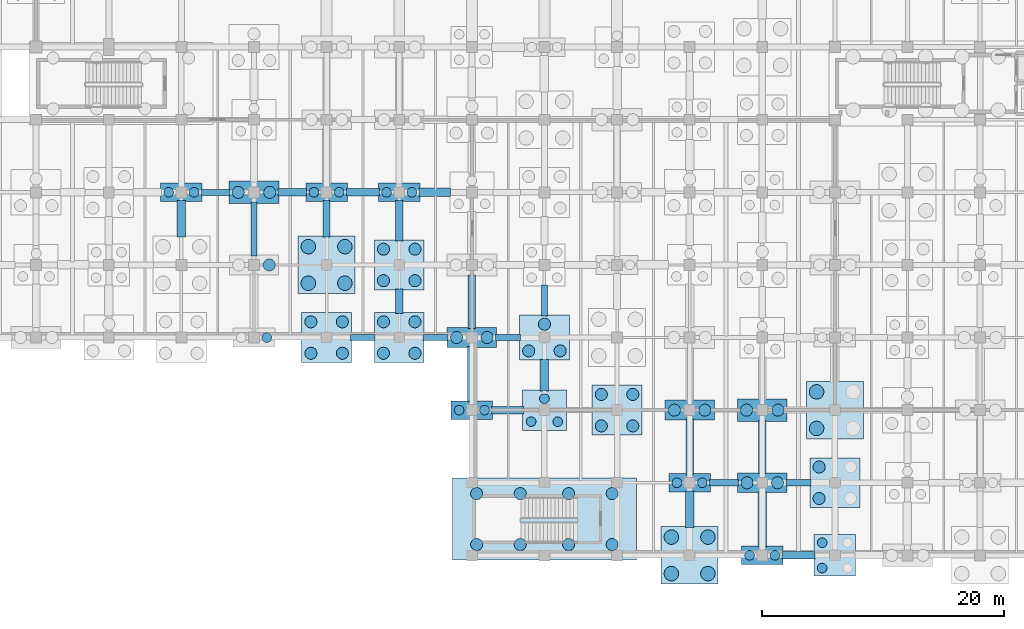
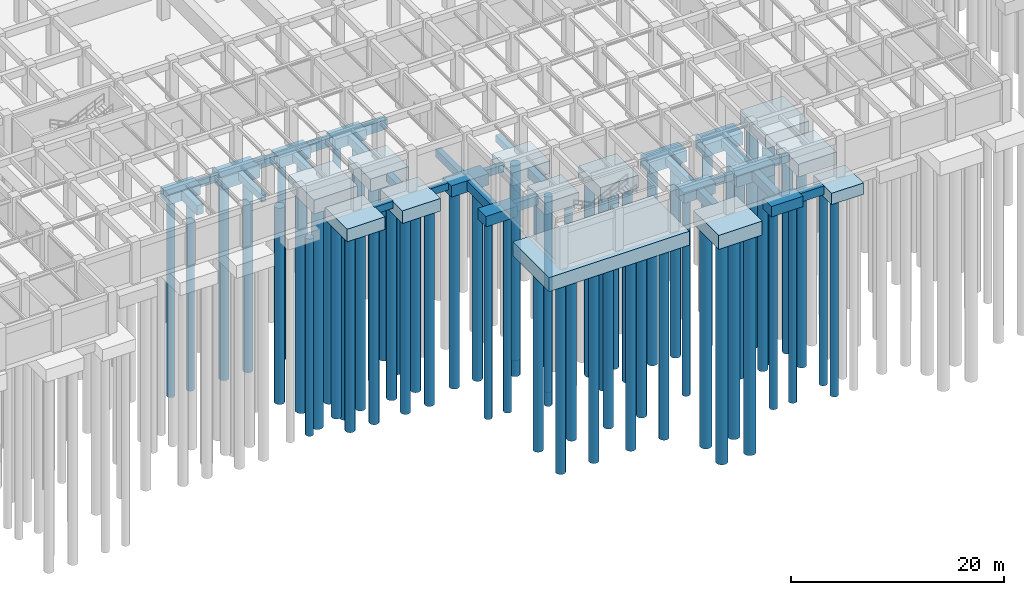
# One storey, part 5 of 54: 68 piles, 47 footings.
"""IFC4 building model written with IfcOpenShell, lengths in metres."""

from ifc_helpers import new_model, si_unit, direction, frame, origin, origin_2d, place, context, subcontext, project, spatial, rectangle, circle, extrude, material, material_profile, profile_set, type_object, element, save


model = new_model("IFC4")

# Units and contexts
model_context = context("Model", 3, precision=1e-05, world=origin(), true_north=direction((0.0, 1.0)))
body_context = subcontext(model_context, "Body", "Model", "MODEL_VIEW")
ifc_project = project(units=[si_unit("LENGTHUNIT", "METRE"), si_unit("AREAUNIT", "SQUARE_METRE"), si_unit("VOLUMEUNIT", "CUBIC_METRE"), si_unit("PLANEANGLEUNIT", "RADIAN"), si_unit("MASSUNIT", "GRAM", prefix="KILO"), si_unit("THERMODYNAMICTEMPERATUREUNIT", "KELVIN"), si_unit("POWERUNIT", "WATT")], contexts=[model_context])

# Site, building, storey
site_placement = place(None, origin())
site = spatial("IfcSite", under=ifc_project, at=site_placement, CompositionType="ELEMENT")
building_placement = place(site_placement, origin())
building = spatial("IfcBuilding", under=site, at=building_placement, Name="Phaisarnlok Congress Hotel", CompositionType="ELEMENT")
storey_placement = place(building_placement, frame((0.0, 0.0, -4.800048828125)))
storey = spatial("IfcBuildingStorey", under=building, at=storey_placement, Name="B01", CompositionType="ELEMENT", Elevation=-4.800048828125)

# Footings
ifc_material_1 = material(Name="Concrete C40/50", Category="concrete")
footing_type_1 = type_object("IfcFootingType", Name="CAP-2P-A", PredefinedType="PILE_CAP", material=ifc_material_1)
for number, where, z_axis, x_axis, name in (
    (1, (72.0, 30.0, -1.69970703125), (0.0, 0.0, 1.0), (1.0, 0.0, 0.0), "Pile cap PC-01 at (72,30)"),
    (2, (84.0, 30.0, -1.69970703125), (0.0, 0.0, 1.0), (1.0, 0.0, 0.0), "Pile cap PC-01 at (84,30)"),
    (3, (90.0, 30.0, -1.69970703125), (0.0, 0.0, 1.0), (1.0, 0.0, 0.0), "Pile cap PC-01 at (90,30)"),
    (4, (96.0, 12.0, -1.69970703125), (0.0, 0.0, 1.0), (1.0, 0.0, 0.0), "Pile cap PC-01 at (96,12)"),
    (5, (114.0, 6.0, -1.69970703125), (0.0, 0.0, 1.0), (1.0, 0.0, 0.0), "Pile cap PC-01 at (114,6)"),
    (6, (120.0, 0.0, -1.69970703125), (0.0, 0.0, 1.0), (1.0, 0.0, 0.0), "Pile cap PC-01 at (120,0)"),
):
    element("IfcFooting", number, at=place(storey_placement, frame(where, z_axis=z_axis, x_axis=x_axis)), inside=storey, type_object=footing_type_1, Name=name, PredefinedType="PILE_CAP", context=body_context, shape_type="SweptSolid", body=[
        extrude(rectangle(XDim=3.43994140625, YDim=1.5400390625, at=origin_2d()), origin(), (0.0, 0.0, 1.0), 1.199951171875),
    ])
footing_type_2 = type_object("IfcFootingType", Name="CAP-2P-B", PredefinedType="PILE_CAP", material=ifc_material_1)
for number, where, z_axis, x_axis, name in (
    (7, (96.0, 18.0, -1.7998046875), (0.0, 0.0, 1.0), (1.0, 0.0, 0.0), "Pile cap PC-02 at (96,18)"),
    (8, (114.0, 12.0, -1.7998046875), (0.0, 0.0, 1.0), (1.0, 0.0, 0.0), "Pile cap PC-02 at (114,12)"),
    (9, (120.0, 6.0, -1.7998046875), (0.0, 0.0, 1.0), (1.0, 0.0, 0.0), "Pile cap PC-02 at (120,6)"),
):
    element("IfcFooting", number, at=place(storey_placement, frame(where, z_axis=z_axis, x_axis=x_axis)), inside=storey, type_object=footing_type_2, Name=name, PredefinedType="PILE_CAP", context=body_context, shape_type="SweptSolid", body=[
        extrude(rectangle(XDim=4.080078125, YDim=1.639892578125, at=origin_2d()), origin(), (0.0, 0.0, 1.0), 1.300048828125),
    ])
footing_type_3 = type_object("IfcFootingType", Name="CAP-2P-C", PredefinedType="PILE_CAP", material=ifc_material_1)
for number, where, z_axis, x_axis, name in (
    (10, (78.0, 30.0, -1.89990234375), (0.0, 0.0, 1.0), (1.0, 0.0, 0.0), "Pile cap PC-03 at (78,30)"),
    (11, (120.0, 12.0, -1.89990234375), (0.0, 0.0, 1.0), (1.0, 0.0, 0.0), "Pile cap PC-03 at (120,12)"),
):
    element("IfcFooting", number, at=place(storey_placement, frame(where, z_axis=z_axis, x_axis=x_axis)), inside=storey, type_object=footing_type_3, Name=name, PredefinedType="PILE_CAP", context=body_context, shape_type="SweptSolid", body=[
        extrude(rectangle(XDim=4.1201171875, YDim=1.840087890625, at=origin_2d()), origin(), (0.0, 0.0, 1.0), 1.39990234375),
    ])
footing_type_4 = type_object("IfcFootingType", Name="CAP-3P-A", PredefinedType="PILE_CAP", material=ifc_material_1)
footing_1_placement = place(storey_placement, frame((102.0, 12.0, -1.85009765625), z_axis=(0.0, 0.0, 1.0), x_axis=(1.0, 0.0, 0.0)))
element("IfcFooting", 12, at=footing_1_placement, inside=storey, type_object=footing_type_4, Name="Pile cap PC-04 at (102,12)", PredefinedType="PILE_CAP", context=body_context, shape_type="SweptSolid", body=[
    extrude(rectangle(XDim=3.639892578125, YDim=3.340087890625, at=origin_2d()), origin(), (0.0, 0.0, 1.0), 1.35009765625),
])
footing_type_5 = type_object("IfcFootingType", Name="CAP-3P-B", PredefinedType="PILE_CAP", material=ifc_material_1)
footing_2_placement = place(storey_placement, frame((102.0, 18.0, -1.94970703125), z_axis=(0.0, 0.0, 1.0), x_axis=(1.0, 0.0, 0.0)))
element("IfcFooting", 13, at=footing_2_placement, inside=storey, type_object=footing_type_5, Name="Pile cap PC-05 at (102,18)", PredefinedType="PILE_CAP", context=body_context, shape_type="SweptSolid", body=[
    extrude(rectangle(XDim=4.1201171875, YDim=3.739990234375, at=origin_2d()), origin(), (0.0, 0.0, 1.0), 1.449951171875),
])
footing_type_6 = type_object("IfcFootingType", Name="CAP-4P-A", PredefinedType="PILE_CAP", material=ifc_material_1)
footing_3_placement = place(storey_placement, frame((126.0, 0.0, -1.7998046875), z_axis=(0.0, 0.0, 1.0), x_axis=(1.0, 0.0, 0.0)))
element("IfcFooting", 14, at=footing_3_placement, inside=storey, type_object=footing_type_6, Name="Pile cap PC-06 at (126,0)", PredefinedType="PILE_CAP", context=body_context, shape_type="SweptSolid", body=[
    extrude(rectangle(XDim=3.43994140625, YDim=3.43994140625, at=origin_2d()), origin(), (0.0, 0.0, 1.0), 1.300048828125),
])
footing_type_7 = type_object("IfcFootingType", Name="CAP-4P-B", PredefinedType="PILE_CAP", material=ifc_material_1)
for number, where, z_axis, x_axis, name in (
    (15, (84.0, 18.0, -1.94970703125), (0.0, 0.0, 1.0), (1.0, 0.0, 0.0), "Pile cap PC-07 at (84,18)"),
    (16, (90.0, 18.0, -1.94970703125), (0.0, 0.0, 1.0), (1.0, 0.0, 0.0), "Pile cap PC-07 at (90,18)"),
    (17, (90.0, 24.0, -1.94970703125), (0.0, 0.0, 1.0), (1.0, 0.0, 0.0), "Pile cap PC-07 at (90,24)"),
    (18, (108.0, 12.0, -1.94970703125), (0.0, 0.0, 1.0), (1.0, 0.0, 0.0), "Pile cap PC-07 at (108,12)"),
    (19, (126.0, 6.0, -1.94970703125), (0.0, 0.0, 1.0), (1.0, 0.0, 0.0), "Pile cap PC-07 at (126,6)"),
):
    element("IfcFooting", number, at=place(storey_placement, frame(where, z_axis=z_axis, x_axis=x_axis)), inside=storey, type_object=footing_type_7, Name=name, PredefinedType="PILE_CAP", context=body_context, shape_type="SweptSolid", body=[
        extrude(rectangle(XDim=4.1201171875, YDim=4.1201171875, at=origin_2d()), origin(), (0.0, 0.0, 1.0), 1.449951171875),
    ])
footing_type_8 = type_object("IfcFootingType", Name="CAP-4P-C", PredefinedType="PILE_CAP", material=ifc_material_1)
for number, where, z_axis, x_axis, name in (
    (20, (84.0, 24.0, -2.10009765625), (0.0, 0.0, 1.0), (1.0, 0.0, 0.0), "Pile cap PC-08 at (84,24)"),
    (21, (114.0, 0.0, -2.10009765625), (0.0, 0.0, 1.0), (1.0, 0.0, 0.0), "Pile cap PC-08 at (114,0)"),
    (22, (126.0, 12.0, -2.10009765625), (0.0, 0.0, 1.0), (1.0, 0.0, 0.0), "Pile cap PC-08 at (126,12)"),
):
    element("IfcFooting", number, at=place(storey_placement, frame(where, z_axis=z_axis, x_axis=x_axis)), inside=storey, type_object=footing_type_8, Name=name, PredefinedType="PILE_CAP", context=body_context, shape_type="SweptSolid", body=[
        extrude(rectangle(XDim=4.719970703125, YDim=4.760009765625, at=origin_2d()), origin(), (0.0, 0.0, 1.0), 1.60009765625),
    ])
footing_type_9 = type_object("IfcFootingType", Name="CAP-STAIR-H", PredefinedType="PILE_CAP", material=ifc_material_1)
footing_4_placement = place(storey_placement, frame((102.0, 3.0, -2.10009765625), z_axis=(0.0, 0.0, 1.0), x_axis=(1.0, 0.0, 0.0)))
element("IfcFooting", 23, at=footing_4_placement, inside=storey, type_object=footing_type_9, Name="Stair core pile cap PC-17 (STAIR-S)", PredefinedType="PILE_CAP", context=body_context, shape_type="SweptSolid", body=[
    extrude(rectangle(XDim=15.199951171875, YDim=6.800048828125, at=origin_2d()), origin(), (0.0, 0.0, 1.0), 1.60009765625),
])
ifc_material_profile_1 = material_profile(ifc_material_1, rectangle(XDim=0.5, YDim=0.800048828125, at=origin_2d()), Name="FB-500x800")
ifc_profile_set_1 = profile_set([ifc_material_profile_1], Name="Concrete C40/50")
footing_type_10 = type_object("IfcFootingType", Name="FB-500x800", PredefinedType="FOOTING_BEAM", material=ifc_profile_set_1)
footing_5_placement = place(storey_placement, frame((73.64501953125, 30.0, -0.89990234375), z_axis=(1.0, 0.0, 0.0), x_axis=(0.0, 1.0, 0.0)))
element("IfcFooting", 24, at=footing_5_placement, inside=storey, type_object=footing_type_10, Name="Ground tie beam FB-01", PredefinedType="FOOTING_BEAM", context=body_context, shape_type="SweptSolid", body=[
    extrude(rectangle(XDim=0.5, YDim=0.800048828125, at=origin_2d()), origin(), (0.0, 0.0, 1.0), 2.369873046875),
])
footing_6_placement = place(storey_placement, frame((78.0, 24.7451171875, -0.89990234375), z_axis=(0.0, 1.0, 0.0), x_axis=(-1.0, 0.0, 0.0)))
element("IfcFooting", 25, at=footing_6_placement, inside=storey, type_object=footing_type_10, Name="Ground tie beam FB-01", PredefinedType="FOOTING_BEAM", context=body_context, shape_type="SweptSolid", body=[
    extrude(rectangle(XDim=0.5, YDim=0.800048828125, at=origin_2d()), origin(), (0.0, 0.0, 1.0), 4.409912109375),
])
footing_7_placement = place(storey_placement, frame((85.985107421875, 18.0, -0.89990234375), z_axis=(1.0, 0.0, 0.0), x_axis=(0.0, 1.0, 0.0)))
element("IfcFooting", 26, at=footing_7_placement, inside=storey, type_object=footing_type_10, Name="Ground tie beam FB-01", PredefinedType="FOOTING_BEAM", context=body_context, shape_type="SweptSolid", body=[
    extrude(rectangle(XDim=0.5, YDim=0.800048828125, at=origin_2d()), origin(), (0.0, 0.0, 1.0), 2.02978515625),
])
for number, where, z_axis, x_axis, name in (
    (27, (91.985107421875, 18.0, -0.89990234375), (1.0, 0.0, 0.0), (0.0, 1.0, 0.0), "Ground tie beam FB-01"),
    (28, (97.965087890625, 18.0, -0.89990234375), (1.0, 0.0, 0.0), (0.0, 1.0, 0.0), "Ground tie beam FB-01"),
):
    element("IfcFooting", number, at=place(storey_placement, frame(where, z_axis=z_axis, x_axis=x_axis)), inside=storey, type_object=footing_type_10, Name=name, PredefinedType="FOOTING_BEAM", context=body_context, shape_type="SweptSolid", body=[
        extrude(rectangle(XDim=0.5, YDim=0.800048828125, at=origin_2d()), origin(), (0.0, 0.0, 1.0), 2.0498046875),
    ])
footing_8_placement = place(storey_placement, frame((102.0, 19.794921875, -0.89990234375), z_axis=(0.0, 1.0, 0.0), x_axis=(-1.0, 0.0, 0.0)))
element("IfcFooting", 29, at=footing_8_placement, inside=storey, type_object=footing_type_10, Name="Ground tie beam FB-01", PredefinedType="FOOTING_BEAM", context=body_context, shape_type="SweptSolid", body=[
    extrude(rectangle(XDim=0.5, YDim=0.800048828125, at=origin_2d()), origin(), (0.0, 0.0, 1.0), 2.56005859375),
])
footing_9_placement = place(storey_placement, frame((115.64501953125, 6.0, -0.89990234375), z_axis=(1.0, 0.0, 0.0), x_axis=(0.0, 1.0, 0.0)))
element("IfcFooting", 30, at=footing_9_placement, inside=storey, type_object=footing_type_10, Name="Ground tie beam FB-01", PredefinedType="FOOTING_BEAM", context=body_context, shape_type="SweptSolid", body=[
    extrude(rectangle(XDim=0.5, YDim=0.800048828125, at=origin_2d()), origin(), (0.0, 0.0, 1.0), 2.389892578125),
])
footing_10_placement = place(storey_placement, frame((121.965087890625, 6.0, -0.89990234375), z_axis=(1.0, 0.0, 0.0), x_axis=(0.0, 1.0, 0.0)))
element("IfcFooting", 31, at=footing_10_placement, inside=storey, type_object=footing_type_10, Name="Ground tie beam FB-01", PredefinedType="FOOTING_BEAM", context=body_context, shape_type="SweptSolid", body=[
    extrude(rectangle(XDim=0.5, YDim=0.800048828125, at=origin_2d()), origin(), (0.0, 0.0, 1.0), 2.0498046875),
])
ifc_material_profile_2 = material_profile(ifc_material_1, rectangle(XDim=0.60009765625, YDim=1.0, at=origin_2d()), Name="FB-600x1000")
ifc_profile_set_2 = profile_set([ifc_material_profile_2], Name="Concrete C40/50")
footing_type_11 = type_object("IfcFootingType", Name="FB-600x1000", PredefinedType="FOOTING_BEAM", material=ifc_profile_set_2)
footing_11_placement = place(storey_placement, frame((85.64501953125, 30.0, -1.0), z_axis=(1.0, 0.0, 0.0), x_axis=(0.0, 1.0, 0.0)))
element("IfcFooting", 32, at=footing_11_placement, inside=storey, type_object=footing_type_11, Name="Ground tie beam FB-03", PredefinedType="FOOTING_BEAM", context=body_context, shape_type="SweptSolid", body=[
    extrude(rectangle(XDim=0.60009765625, YDim=1.0, at=origin_2d()), origin(), (0.0, 0.0, 1.0), 2.7099609375),
])
footing_12_placement = place(storey_placement, frame((90.0, 25.985107421875, -1.0), z_axis=(0.0, 1.0, 0.0), x_axis=(-1.0, 0.0, 0.0)))
element("IfcFooting", 33, at=footing_12_placement, inside=storey, type_object=footing_type_11, Name="Ground tie beam FB-03", PredefinedType="FOOTING_BEAM", context=body_context, shape_type="SweptSolid", body=[
    extrude(rectangle(XDim=0.60009765625, YDim=1.0, at=origin_2d()), origin(), (0.0, 0.0, 1.0), 3.31982421875),
])
footing_13_placement = place(storey_placement, frame((97.64501953125, 12.0, -1.0), z_axis=(1.0, 0.0, 0.0), x_axis=(0.0, 1.0, 0.0)))
element("IfcFooting", 34, at=footing_13_placement, inside=storey, type_object=footing_type_11, Name="Ground tie beam FB-03", PredefinedType="FOOTING_BEAM", context=body_context, shape_type="SweptSolid", body=[
    extrude(rectangle(XDim=0.60009765625, YDim=1.0, at=origin_2d()), origin(), (0.0, 0.0, 1.0), 2.60986328125),
])
footing_14_placement = place(storey_placement, frame((121.64501953125, 0.0, -1.0), z_axis=(1.0, 0.0, 0.0), x_axis=(0.0, 1.0, 0.0)))
element("IfcFooting", 35, at=footing_14_placement, inside=storey, type_object=footing_type_11, Name="Ground tie beam FB-03", PredefinedType="FOOTING_BEAM", context=body_context, shape_type="SweptSolid", body=[
    extrude(rectangle(XDim=0.60009765625, YDim=1.0, at=origin_2d()), origin(), (0.0, 0.0, 1.0), 2.7099609375),
])
ifc_material_profile_3 = material_profile(ifc_material_1, rectangle(XDim=0.60009765625, YDim=0.89990234375, at=origin_2d()), Name="FB-600x900")
ifc_profile_set_3 = profile_set([ifc_material_profile_3], Name="Concrete C40/50")
footing_type_12 = type_object("IfcFootingType", Name="FB-600x900", PredefinedType="FOOTING_BEAM", material=ifc_profile_set_3)
footing_15_placement = place(storey_placement, frame((79.985107421875, 30.0, -0.949951171875), z_axis=(1.0, 0.0, 0.0), x_axis=(0.0, 1.0, 0.0)))
element("IfcFooting", 36, at=footing_15_placement, inside=storey, type_object=footing_type_12, Name="Ground tie beam FB-02", PredefinedType="FOOTING_BEAM", context=body_context, shape_type="SweptSolid", body=[
    extrude(rectangle(XDim=0.60009765625, YDim=0.89990234375, at=origin_2d()), origin(), (0.0, 0.0, 1.0), 2.369873046875),
])
footing_16_placement = place(storey_placement, frame((84.0, 26.304931640625, -0.949951171875), z_axis=(0.0, 1.0, 0.0), x_axis=(-1.0, 0.0, 0.0)))
element("IfcFooting", 37, at=footing_16_placement, inside=storey, type_object=footing_type_12, Name="Ground tie beam FB-02", PredefinedType="FOOTING_BEAM", context=body_context, shape_type="SweptSolid", body=[
    extrude(rectangle(XDim=0.60009765625, YDim=0.89990234375, at=origin_2d()), origin(), (0.0, 0.0, 1.0), 3.0),
])
footing_17_placement = place(storey_placement, frame((90.0, 19.985107421875, -0.949951171875), z_axis=(0.0, 1.0, 0.0), x_axis=(-1.0, 0.0, 0.0)))
element("IfcFooting", 38, at=footing_17_placement, inside=storey, type_object=footing_type_12, Name="Ground tie beam FB-02", PredefinedType="FOOTING_BEAM", context=body_context, shape_type="SweptSolid", body=[
    extrude(rectangle(XDim=0.60009765625, YDim=0.89990234375, at=origin_2d()), origin(), (0.0, 0.0, 1.0), 2.02978515625),
])
footing_18_placement = place(storey_placement, frame((96.0, 18.7451171875, -0.949951171875), z_axis=(0.0, 1.0, 0.0), x_axis=(-1.0, 0.0, 0.0)))
element("IfcFooting", 39, at=footing_18_placement, inside=storey, type_object=footing_type_12, Name="Ground tie beam FB-02", PredefinedType="FOOTING_BEAM", context=body_context, shape_type="SweptSolid", body=[
    extrude(rectangle(XDim=0.60009765625, YDim=0.89990234375, at=origin_2d()), origin(), (0.0, 0.0, 1.0), 4.409912109375),
])
footing_19_placement = place(storey_placement, frame((114.0, 6.695068359375, -0.949951171875), z_axis=(0.0, 1.0, 0.0), x_axis=(-1.0, 0.0, 0.0)))
element("IfcFooting", 40, at=footing_19_placement, inside=storey, type_object=footing_type_12, Name="Ground tie beam FB-02", PredefinedType="FOOTING_BEAM", context=body_context, shape_type="SweptSolid", body=[
    extrude(rectangle(XDim=0.60009765625, YDim=0.89990234375, at=origin_2d()), origin(), (0.0, 0.0, 1.0), 4.559814453125),
])
footing_20_placement = place(storey_placement, frame((120.0, 6.7451171875, -0.949951171875), z_axis=(0.0, 1.0, 0.0), x_axis=(-1.0, 0.0, 0.0)))
element("IfcFooting", 41, at=footing_20_placement, inside=storey, type_object=footing_type_12, Name="Ground tie beam FB-02", PredefinedType="FOOTING_BEAM", context=body_context, shape_type="SweptSolid", body=[
    extrude(rectangle(XDim=0.60009765625, YDim=0.89990234375, at=origin_2d()), origin(), (0.0, 0.0, 1.0), 4.409912109375),
])
ifc_material_profile_4 = material_profile(ifc_material_1, rectangle(XDim=0.699951171875, YDim=1.10009765625, at=origin_2d()), Name="FB-700x1100")
ifc_profile_set_4 = profile_set([ifc_material_profile_4], Name="Concrete C40/50")
footing_type_13 = type_object("IfcFootingType", Name="FB-700x1100", PredefinedType="FOOTING_BEAM", material=ifc_profile_set_4)
footing_21_placement = place(storey_placement, frame((72.0, 26.304931640625, -1.050048828125), z_axis=(0.0, 1.0, 0.0), x_axis=(-1.0, 0.0, 0.0)))
element("IfcFooting", 42, at=footing_21_placement, inside=storey, type_object=footing_type_13, Name="Ground tie beam FB-04", PredefinedType="FOOTING_BEAM", context=body_context, shape_type="SweptSolid", body=[
    extrude(rectangle(XDim=0.699951171875, YDim=1.10009765625, at=origin_2d()), origin(), (0.0, 0.0, 1.0), 3.0),
])
footing_22_placement = place(storey_placement, frame((91.64501953125, 30.0, -1.050048828125), z_axis=(1.0, 0.0, 0.0), x_axis=(0.0, 1.0, 0.0)))
element("IfcFooting", 43, at=footing_22_placement, inside=storey, type_object=footing_type_13, Name="Ground tie beam FB-04", PredefinedType="FOOTING_BEAM", context=body_context, shape_type="SweptSolid", body=[
    extrude(rectangle(XDim=0.699951171875, YDim=1.10009765625, at=origin_2d()), origin(), (0.0, 0.0, 1.0), 2.60986328125),
])
footing_23_placement = place(storey_placement, frame((96.0, 12.695068359375, -1.050048828125), z_axis=(0.0, 1.0, 0.0), x_axis=(-1.0, 0.0, 0.0)))
element("IfcFooting", 44, at=footing_23_placement, inside=storey, type_object=footing_type_13, Name="Ground tie beam FB-04", PredefinedType="FOOTING_BEAM", context=body_context, shape_type="SweptSolid", body=[
    extrude(rectangle(XDim=0.699951171875, YDim=1.10009765625, at=origin_2d()), origin(), (0.0, 0.0, 1.0), 4.559814453125),
])
footing_24_placement = place(storey_placement, frame((102.0, 13.594970703125, -1.050048828125), z_axis=(0.0, 1.0, 0.0), x_axis=(-1.0, 0.0, 0.0)))
element("IfcFooting", 45, at=footing_24_placement, inside=storey, type_object=footing_type_13, Name="Ground tie beam FB-04", PredefinedType="FOOTING_BEAM", context=body_context, shape_type="SweptSolid", body=[
    extrude(rectangle(XDim=0.699951171875, YDim=1.10009765625, at=origin_2d()), origin(), (0.0, 0.0, 1.0), 2.610107421875),
])
footing_25_placement = place(storey_placement, frame((114.0, 2.304931640625, -1.050048828125), z_axis=(0.0, 1.0, 0.0), x_axis=(-1.0, 0.0, 0.0)))
element("IfcFooting", 46, at=footing_25_placement, inside=storey, type_object=footing_type_13, Name="Ground tie beam FB-04", PredefinedType="FOOTING_BEAM", context=body_context, shape_type="SweptSolid", body=[
    extrude(rectangle(XDim=0.699951171875, YDim=1.10009765625, at=origin_2d()), origin(), (0.0, 0.0, 1.0), 3.0),
])
footing_26_placement = place(storey_placement, frame((120.0, 0.695068359375, -1.050048828125), z_axis=(0.0, 1.0, 0.0), x_axis=(-1.0, 0.0, 0.0)))
element("IfcFooting", 47, at=footing_26_placement, inside=storey, type_object=footing_type_13, Name="Ground tie beam FB-04", PredefinedType="FOOTING_BEAM", context=body_context, shape_type="SweptSolid", body=[
    extrude(rectangle(XDim=0.699951171875, YDim=1.10009765625, at=origin_2d()), origin(), (0.0, 0.0, 1.0), 4.559814453125),
])

# Piles
ifc_material_2 = material(Name="Concrete C35/45", Category="concrete")
ifc_material_profile_5 = material_profile(ifc_material_2, circle(Radius=0.5, at=origin_2d()), Name="BORED PILE D1000")
ifc_profile_set_5 = profile_set([ifc_material_profile_5], Name="Concrete C35/45")
pile_type_1 = type_object("IfcPileType", Name="PILE-D1000", PredefinedType="BORED", material=ifc_profile_set_5)
for number, where, z_axis, x_axis, name in (
    (48, (96.39990234375, 0.89990234375, -2.0), (0.0, 0.0, -1.0), (1.0, 0.0, 0.0), "Bored pile PL-02 (STAIR-S-01)"),
    (49, (96.39990234375, 5.10009765625, -2.0), (0.0, 0.0, -1.0), (1.0, 0.0, 0.0), "Bored pile PL-02 (STAIR-S-02)"),
    (50, (100.0, 0.89990234375, -2.0), (0.0, 0.0, -1.0), (1.0, 0.0, 0.0), "Bored pile PL-02 (STAIR-S-03)"),
    (51, (100.0, 5.10009765625, -2.0), (0.0, 0.0, -1.0), (1.0, 0.0, 0.0), "Bored pile PL-02 (STAIR-S-04)"),
    (52, (104.0, 0.89990234375, -2.0), (0.0, 0.0, -1.0), (1.0, 0.0, 0.0), "Bored pile PL-02 (STAIR-S-05)"),
    (53, (104.0, 5.10009765625, -2.0), (0.0, 0.0, -1.0), (1.0, 0.0, 0.0), "Bored pile PL-02 (STAIR-S-06)"),
    (54, (107.60009765625, 0.89990234375, -2.0), (0.0, 0.0, -1.0), (1.0, 0.0, 0.0), "Bored pile PL-02 (STAIR-S-07)"),
    (55, (107.60009765625, 5.10009765625, -2.0), (0.0, 0.0, -1.0), (1.0, 0.0, 0.0), "Bored pile PL-02 (STAIR-S-08)"),
):
    element("IfcPile", number, at=place(storey_placement, frame(where, z_axis=z_axis, x_axis=x_axis)), inside=storey, type_object=pile_type_1, Name=name, PredefinedType="BORED", context=body_context, shape_type="SweptSolid", body=[
        extrude(circle(Radius=0.5, at=origin_2d()), origin(), (0.0, 0.0, 1.0), 22.199951171875),
    ])
pile_placement = place(storey_placement, frame((79.260009765625, 24.0, -1.699951171875), z_axis=(0.0, 0.0, -1.0), x_axis=(1.0, 0.0, 0.0)))
element("IfcPile", 56, at=pile_placement, inside=storey, type_object=pile_type_1, Name="Bored pile PL-02 (FTG-B01-078-024-2)", PredefinedType="BORED", context=body_context, shape_type="SweptSolid", body=[
    extrude(circle(Radius=0.5, at=origin_2d()), origin(), (0.0, 0.0, 1.0), 22.5),
])
for number, where, z_axis, x_axis, name in (
    (57, (76.699951171875, 30.0, -1.800048828125), (0.0, 0.0, -1.0), (1.0, 0.0, 0.0), "Bored pile PL-02 (FTG-B01-078-030-1)"),
    (58, (79.300048828125, 30.0, -1.800048828125), (0.0, 0.0, -1.0), (1.0, 0.0, 0.0), "Bored pile PL-02 (FTG-B01-078-030-2)"),
):
    element("IfcPile", number, at=place(storey_placement, frame(where, z_axis=z_axis, x_axis=x_axis)), inside=storey, type_object=pile_type_1, Name=name, PredefinedType="BORED", context=body_context, shape_type="SweptSolid", body=[
        extrude(circle(Radius=0.5, at=origin_2d()), origin(), (0.0, 0.0, 1.0), 22.39990234375),
    ])
for number, where, z_axis, x_axis, name in (
    (59, (82.699951171875, 16.699951171875, -1.849853515625), (0.0, 0.0, -1.0), (1.0, 0.0, 0.0), "Bored pile PL-02 (FTG-B01-084-018-1)"),
    (60, (85.300048828125, 16.699951171875, -1.849853515625), (0.0, 0.0, -1.0), (1.0, 0.0, 0.0), "Bored pile PL-02 (FTG-B01-084-018-2)"),
    (61, (82.699951171875, 19.300048828125, -1.849853515625), (0.0, 0.0, -1.0), (1.0, 0.0, 0.0), "Bored pile PL-02 (FTG-B01-084-018-3)"),
    (62, (85.300048828125, 19.300048828125, -1.849853515625), (0.0, 0.0, -1.0), (1.0, 0.0, 0.0), "Bored pile PL-02 (FTG-B01-084-018-4)"),
    (63, (88.699951171875, 16.699951171875, -1.849853515625), (0.0, 0.0, -1.0), (1.0, 0.0, 0.0), "Bored pile PL-02 (FTG-B01-090-018-1)"),
    (64, (91.300048828125, 16.699951171875, -1.849853515625), (0.0, 0.0, -1.0), (1.0, 0.0, 0.0), "Bored pile PL-02 (FTG-B01-090-018-2)"),
    (65, (88.699951171875, 19.300048828125, -1.849853515625), (0.0, 0.0, -1.0), (1.0, 0.0, 0.0), "Bored pile PL-02 (FTG-B01-090-018-3)"),
    (66, (91.300048828125, 19.300048828125, -1.849853515625), (0.0, 0.0, -1.0), (1.0, 0.0, 0.0), "Bored pile PL-02 (FTG-B01-090-018-4)"),
    (67, (88.699951171875, 22.699951171875, -1.849853515625), (0.0, 0.0, -1.0), (1.0, 0.0, 0.0), "Bored pile PL-02 (FTG-B01-090-024-1)"),
    (68, (91.300048828125, 22.699951171875, -1.849853515625), (0.0, 0.0, -1.0), (1.0, 0.0, 0.0), "Bored pile PL-02 (FTG-B01-090-024-2)"),
    (69, (88.699951171875, 25.300048828125, -1.849853515625), (0.0, 0.0, -1.0), (1.0, 0.0, 0.0), "Bored pile PL-02 (FTG-B01-090-024-3)"),
    (70, (91.300048828125, 25.300048828125, -1.849853515625), (0.0, 0.0, -1.0), (1.0, 0.0, 0.0), "Bored pile PL-02 (FTG-B01-090-024-4)"),
):
    element("IfcPile", number, at=place(storey_placement, frame(where, z_axis=z_axis, x_axis=x_axis)), inside=storey, type_object=pile_type_1, Name=name, PredefinedType="BORED", context=body_context, shape_type="SweptSolid", body=[
        extrude(circle(Radius=0.5, at=origin_2d()), origin(), (0.0, 0.0, 1.0), 22.35009765625),
    ])
for number, where, z_axis, x_axis, name in (
    (71, (94.739990234375, 18.0, -1.699951171875), (0.0, 0.0, -1.0), (1.0, 0.0, 0.0), "Bored pile PL-02 (FTG-B01-096-018-1)"),
    (72, (97.260009765625, 18.0, -1.699951171875), (0.0, 0.0, -1.0), (1.0, 0.0, 0.0), "Bored pile PL-02 (FTG-B01-096-018-2)"),
):
    element("IfcPile", number, at=place(storey_placement, frame(where, z_axis=z_axis, x_axis=x_axis)), inside=storey, type_object=pile_type_1, Name=name, PredefinedType="BORED", context=body_context, shape_type="SweptSolid", body=[
        extrude(circle(Radius=0.5, at=origin_2d()), origin(), (0.0, 0.0, 1.0), 22.5),
    ])
for number, where, z_axis, x_axis, name in (
    (73, (100.699951171875, 16.89990234375, -1.849853515625), (0.0, 0.0, -1.0), (1.0, 0.0, 0.0), "Bored pile PL-02 (FTG-B01-102-018-1)"),
    (74, (103.300048828125, 16.89990234375, -1.849853515625), (0.0, 0.0, -1.0), (1.0, 0.0, 0.0), "Bored pile PL-02 (FTG-B01-102-018-2)"),
    (75, (102.0, 19.10009765625, -1.849853515625), (0.0, 0.0, -1.0), (1.0, 0.0, 0.0), "Bored pile PL-02 (FTG-B01-102-018-3)"),
    (76, (106.699951171875, 10.699951171875, -1.849853515625), (0.0, 0.0, -1.0), (1.0, 0.0, 0.0), "Bored pile PL-02 (FTG-B01-108-012-1)"),
    (77, (109.300048828125, 10.699951171875, -1.849853515625), (0.0, 0.0, -1.0), (1.0, 0.0, 0.0), "Bored pile PL-02 (FTG-B01-108-012-2)"),
    (78, (106.699951171875, 13.300048828125, -1.849853515625), (0.0, 0.0, -1.0), (1.0, 0.0, 0.0), "Bored pile PL-02 (FTG-B01-108-012-3)"),
    (79, (109.300048828125, 13.300048828125, -1.849853515625), (0.0, 0.0, -1.0), (1.0, 0.0, 0.0), "Bored pile PL-02 (FTG-B01-108-012-4)"),
):
    element("IfcPile", number, at=place(storey_placement, frame(where, z_axis=z_axis, x_axis=x_axis)), inside=storey, type_object=pile_type_1, Name=name, PredefinedType="BORED", context=body_context, shape_type="SweptSolid", body=[
        extrude(circle(Radius=0.5, at=origin_2d()), origin(), (0.0, 0.0, 1.0), 22.35009765625),
    ])
for number, where, z_axis, x_axis, name in (
    (80, (112.739990234375, 12.0, -1.699951171875), (0.0, 0.0, -1.0), (1.0, 0.0, 0.0), "Bored pile PL-02 (FTG-B01-114-012-1)"),
    (81, (115.260009765625, 12.0, -1.699951171875), (0.0, 0.0, -1.0), (1.0, 0.0, 0.0), "Bored pile PL-02 (FTG-B01-114-012-2)"),
    (82, (118.739990234375, 6.0, -1.699951171875), (0.0, 0.0, -1.0), (1.0, 0.0, 0.0), "Bored pile PL-02 (FTG-B01-120-006-1)"),
    (83, (121.260009765625, 6.0, -1.699951171875), (0.0, 0.0, -1.0), (1.0, 0.0, 0.0), "Bored pile PL-02 (FTG-B01-120-006-2)"),
):
    element("IfcPile", number, at=place(storey_placement, frame(where, z_axis=z_axis, x_axis=x_axis)), inside=storey, type_object=pile_type_1, Name=name, PredefinedType="BORED", context=body_context, shape_type="SweptSolid", body=[
        extrude(circle(Radius=0.5, at=origin_2d()), origin(), (0.0, 0.0, 1.0), 22.5),
    ])
for number, where, z_axis, x_axis, name in (
    (84, (118.699951171875, 12.0, -1.800048828125), (0.0, 0.0, -1.0), (1.0, 0.0, 0.0), "Bored pile PL-02 (FTG-B01-120-012-1)"),
    (85, (121.300048828125, 12.0, -1.800048828125), (0.0, 0.0, -1.0), (1.0, 0.0, 0.0), "Bored pile PL-02 (FTG-B01-120-012-2)"),
):
    element("IfcPile", number, at=place(storey_placement, frame(where, z_axis=z_axis, x_axis=x_axis)), inside=storey, type_object=pile_type_1, Name=name, PredefinedType="BORED", context=body_context, shape_type="SweptSolid", body=[
        extrude(circle(Radius=0.5, at=origin_2d()), origin(), (0.0, 0.0, 1.0), 22.39990234375),
    ])
for number, where, z_axis, x_axis, name in (
    (86, (124.699951171875, 4.699951171875, -1.849853515625), (0.0, 0.0, -1.0), (1.0, 0.0, 0.0), "Bored pile PL-02 (FTG-B01-126-006-1)"),
    (87, (124.699951171875, 7.300048828125, -1.849853515625), (0.0, 0.0, -1.0), (1.0, 0.0, 0.0), "Bored pile PL-02 (FTG-B01-126-006-3)"),
):
    element("IfcPile", number, at=place(storey_placement, frame(where, z_axis=z_axis, x_axis=x_axis)), inside=storey, type_object=pile_type_1, Name=name, PredefinedType="BORED", context=body_context, shape_type="SweptSolid", body=[
        extrude(circle(Radius=0.5, at=origin_2d()), origin(), (0.0, 0.0, 1.0), 22.35009765625),
    ])
ifc_material_profile_6 = material_profile(ifc_material_2, circle(Radius=0.60009765625, at=origin_2d()), Name="BORED PILE D1200")
ifc_profile_set_6 = profile_set([ifc_material_profile_6], Name="Concrete C35/45")
pile_type_2 = type_object("IfcPileType", Name="PILE-D1200", PredefinedType="BORED", material=ifc_profile_set_6)
for number, where, z_axis, x_axis, name in (
    (88, (82.489990234375, 22.489990234375, -2.0), (0.0, 0.0, -1.0), (1.0, 0.0, 0.0), "Bored pile PL-03 (FTG-B01-084-024-1)"),
    (89, (85.510009765625, 22.489990234375, -2.0), (0.0, 0.0, -1.0), (1.0, 0.0, 0.0), "Bored pile PL-03 (FTG-B01-084-024-2)"),
    (90, (82.489990234375, 25.510009765625, -2.0), (0.0, 0.0, -1.0), (1.0, 0.0, 0.0), "Bored pile PL-03 (FTG-B01-084-024-3)"),
    (91, (85.510009765625, 25.510009765625, -2.0), (0.0, 0.0, -1.0), (1.0, 0.0, 0.0), "Bored pile PL-03 (FTG-B01-084-024-4)"),
    (92, (112.489990234375, -1.510009765625, -2.0), (0.0, 0.0, -1.0), (1.0, 0.0, 0.0), "Bored pile PL-03 (FTG-B01-114-000-1)"),
    (93, (115.510009765625, -1.510009765625, -2.0), (0.0, 0.0, -1.0), (1.0, 0.0, 0.0), "Bored pile PL-03 (FTG-B01-114-000-2)"),
    (94, (112.489990234375, 1.510009765625, -2.0), (0.0, 0.0, -1.0), (1.0, 0.0, 0.0), "Bored pile PL-03 (FTG-B01-114-000-3)"),
    (95, (115.510009765625, 1.510009765625, -2.0), (0.0, 0.0, -1.0), (1.0, 0.0, 0.0), "Bored pile PL-03 (FTG-B01-114-000-4)"),
    (96, (124.489990234375, 10.489990234375, -2.0), (0.0, 0.0, -1.0), (1.0, 0.0, 0.0), "Bored pile PL-03 (FTG-B01-126-012-1)"),
    (97, (124.489990234375, 13.510009765625, -2.0), (0.0, 0.0, -1.0), (1.0, 0.0, 0.0), "Bored pile PL-03 (FTG-B01-126-012-3)"),
):
    element("IfcPile", number, at=place(storey_placement, frame(where, z_axis=z_axis, x_axis=x_axis)), inside=storey, type_object=pile_type_2, Name=name, PredefinedType="BORED", context=body_context, shape_type="SweptSolid", body=[
        extrude(circle(Radius=0.60009765625, at=origin_2d()), origin(), (0.0, 0.0, 1.0), 25.199951171875),
    ])
ifc_material_profile_7 = material_profile(ifc_material_2, circle(Radius=0.39990234375, at=origin_2d()), Name="BORED PILE D800")
ifc_profile_set_7 = profile_set([ifc_material_profile_7], Name="Concrete C35/45")
pile_type_3 = type_object("IfcPileType", Name="PILE-D800", PredefinedType="BORED", material=ifc_profile_set_7)
for number, where, z_axis, x_axis, name in (
    (98, (70.949951171875, 30.0, -1.599853515625), (0.0, 0.0, -1.0), (1.0, 0.0, 0.0), "Bored pile PL-01 (FTG-B01-072-030-1)"),
    (99, (73.050048828125, 30.0, -1.599853515625), (0.0, 0.0, -1.0), (1.0, 0.0, 0.0), "Bored pile PL-01 (FTG-B01-072-030-2)"),
    (100, (79.050048828125, 18.0, -1.599853515625), (0.0, 0.0, -1.0), (1.0, 0.0, 0.0), "Bored pile PL-01 (FTG-B01-078-018-2)"),
    (101, (82.949951171875, 30.0, -1.599853515625), (0.0, 0.0, -1.0), (1.0, 0.0, 0.0), "Bored pile PL-01 (FTG-B01-084-030-1)"),
    (102, (85.050048828125, 30.0, -1.599853515625), (0.0, 0.0, -1.0), (1.0, 0.0, 0.0), "Bored pile PL-01 (FTG-B01-084-030-2)"),
    (103, (88.949951171875, 30.0, -1.599853515625), (0.0, 0.0, -1.0), (1.0, 0.0, 0.0), "Bored pile PL-01 (FTG-B01-090-030-1)"),
    (104, (91.050048828125, 30.0, -1.599853515625), (0.0, 0.0, -1.0), (1.0, 0.0, 0.0), "Bored pile PL-01 (FTG-B01-090-030-2)"),
    (105, (94.949951171875, 12.0, -1.599853515625), (0.0, 0.0, -1.0), (1.0, 0.0, 0.0), "Bored pile PL-01 (FTG-B01-096-012-1)"),
    (106, (97.050048828125, 12.0, -1.599853515625), (0.0, 0.0, -1.0), (1.0, 0.0, 0.0), "Bored pile PL-01 (FTG-B01-096-012-2)"),
):
    element("IfcPile", number, at=place(storey_placement, frame(where, z_axis=z_axis, x_axis=x_axis)), inside=storey, type_object=pile_type_3, Name=name, PredefinedType="BORED", context=body_context, shape_type="SweptSolid", body=[
        extrude(circle(Radius=0.39990234375, at=origin_2d()), origin(), (0.0, 0.0, 1.0), 22.60009765625),
    ])
for number, where, z_axis, x_axis, name in (
    (107, (100.89990234375, 11.050048828125, -1.75), (0.0, 0.0, -1.0), (1.0, 0.0, 0.0), "Bored pile PL-01 (FTG-B01-102-012-1)"),
    (108, (103.10009765625, 11.050048828125, -1.75), (0.0, 0.0, -1.0), (1.0, 0.0, 0.0), "Bored pile PL-01 (FTG-B01-102-012-2)"),
    (109, (102.0, 12.949951171875, -1.75), (0.0, 0.0, -1.0), (1.0, 0.0, 0.0), "Bored pile PL-01 (FTG-B01-102-012-3)"),
):
    element("IfcPile", number, at=place(storey_placement, frame(where, z_axis=z_axis, x_axis=x_axis)), inside=storey, type_object=pile_type_3, Name=name, PredefinedType="BORED", context=body_context, shape_type="SweptSolid", body=[
        extrude(circle(Radius=0.39990234375, at=origin_2d()), origin(), (0.0, 0.0, 1.0), 22.449951171875),
    ])
for number, where, z_axis, x_axis, name in (
    (110, (112.949951171875, 6.0, -1.599853515625), (0.0, 0.0, -1.0), (1.0, 0.0, 0.0), "Bored pile PL-01 (FTG-B01-114-006-1)"),
    (111, (115.050048828125, 6.0, -1.599853515625), (0.0, 0.0, -1.0), (1.0, 0.0, 0.0), "Bored pile PL-01 (FTG-B01-114-006-2)"),
    (112, (118.949951171875, 0.0, -1.599853515625), (0.0, 0.0, -1.0), (1.0, 0.0, 0.0), "Bored pile PL-01 (FTG-B01-120-000-1)"),
    (113, (121.050048828125, 0.0, -1.599853515625), (0.0, 0.0, -1.0), (1.0, 0.0, 0.0), "Bored pile PL-01 (FTG-B01-120-000-2)"),
):
    element("IfcPile", number, at=place(storey_placement, frame(where, z_axis=z_axis, x_axis=x_axis)), inside=storey, type_object=pile_type_3, Name=name, PredefinedType="BORED", context=body_context, shape_type="SweptSolid", body=[
        extrude(circle(Radius=0.39990234375, at=origin_2d()), origin(), (0.0, 0.0, 1.0), 22.60009765625),
    ])
for number, where, z_axis, x_axis, name in (
    (114, (124.949951171875, -1.050048828125, -1.699951171875), (0.0, 0.0, -1.0), (1.0, 0.0, 0.0), "Bored pile PL-01 (FTG-B01-126-000-1)"),
    (115, (124.949951171875, 1.050048828125, -1.699951171875), (0.0, 0.0, -1.0), (1.0, 0.0, 0.0), "Bored pile PL-01 (FTG-B01-126-000-3)"),
):
    element("IfcPile", number, at=place(storey_placement, frame(where, z_axis=z_axis, x_axis=x_axis)), inside=storey, type_object=pile_type_3, Name=name, PredefinedType="BORED", context=body_context, shape_type="SweptSolid", body=[
        extrude(circle(Radius=0.39990234375, at=origin_2d()), origin(), (0.0, 0.0, 1.0), 22.5),
    ])

save(model, "model.ifc")
